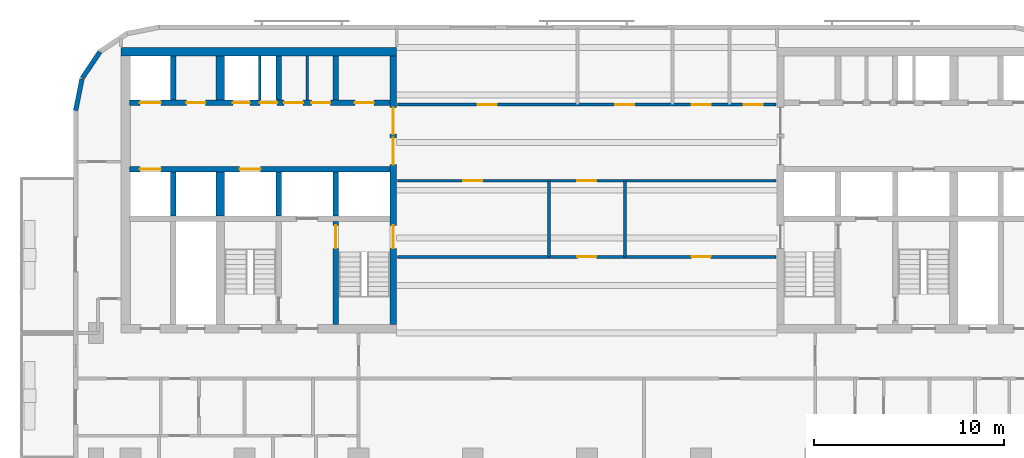
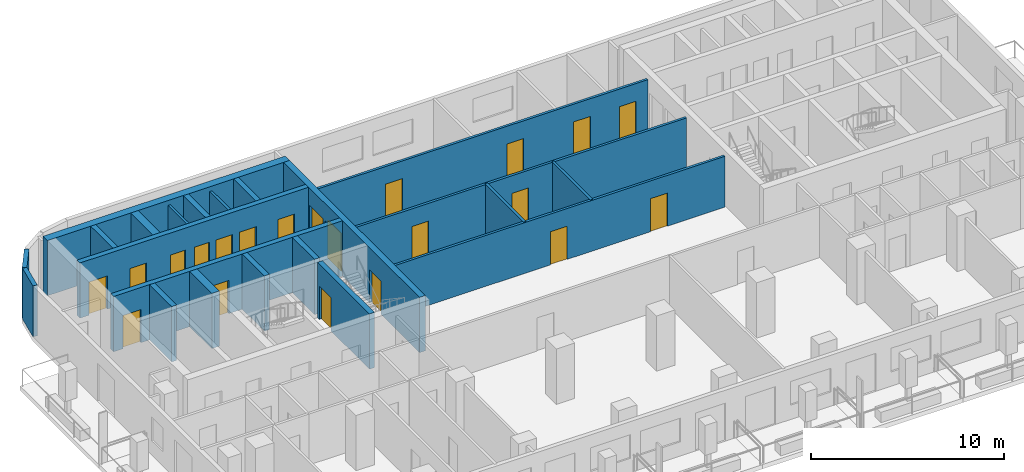
# One storey, part 4 of 11: 22 walls, 21 doors, 21 openings.
"""IFC4 building model written with IfcOpenShell, lengths in metres."""

import ifcopenshell
import ifcopenshell.guid

model = None  # the IFC model being written
_history = None  # IfcOwnerHistory: only IFC2X3 demands one
_inside = {}  # id of a spatial element -> (the spatial element, [elements in it])
_under = {}  # id of a project, library or spatial element -> (it, [spatial elements below it])
_declared = {}  # id of a project -> (the project, [libraries it declares])
_typed = {}  # id of a type object -> (the type object, [elements of that type])
_made_of = {}  # id of a material, layer set ... -> (it, [elements and type objects made of it])


def new_model(schema):
    """Start an empty IFC model of exactly this schema.

    Asked for "IFC4X3", IfcOpenShell would pick the latest addendum, in which some entities
    have other attributes; the version numbers below select the first issue.
    IFC2X3 requires an IfcOwnerHistory on every rooted entity: one is made here for all.
    """
    global model, _history
    if schema == "IFC4X3":
        model = ifcopenshell.file(schema_version=(4, 3, 0, 0))
    else:
        model = ifcopenshell.file(schema=schema)
    _inside.clear()
    _under.clear()
    _declared.clear()
    _typed.clear()
    _made_of.clear()
    _history = None
    if model.schema == "IFC2X3":
        org = make("IfcOrganization", Name="unknown")
        user = make(
            "IfcPersonAndOrganization",
            ThePerson=make("IfcPerson", FamilyName="unknown"),
            TheOrganization=org,
        )
        app = make(
            "IfcApplication",
            ApplicationDeveloper=org,
            Version="unknown",
            ApplicationFullName="unknown",
            ApplicationIdentifier="unknown",
        )
        _history = make(
            "IfcOwnerHistory",
            OwningUser=user,
            OwningApplication=app,
            ChangeAction="ADDED",
            CreationDate=0,
        )
    return model


def make(cls, **values):
    """One entity of the class cls with the attributes given. An attribute that is None is left unset."""
    return model.create_entity(
        cls, **{name: value for name, value in values.items() if value is not None}
    )


def rooted(cls, **values):
    """An entity with a GlobalId (a new one), such as an element, a storey or a relation."""
    return make(cls, GlobalId=ifcopenshell.guid.new(), OwnerHistory=_history, **values)


def si_unit(unit_type, name, prefix=None):
    """IfcSIUnit, for example si_unit("LENGTHUNIT", "METRE", prefix="MILLI")."""
    return make("IfcSIUnit", UnitType=unit_type, Prefix=prefix, Name=name)


def assignment(units):
    """IfcUnitAssignment: the units of a project."""
    return None if units is None else make("IfcUnitAssignment", Units=units)


def point(xyz):
    """IfcCartesianPoint."""
    return None if xyz is None else make("IfcCartesianPoint", Coordinates=xyz)


def direction(xyz):
    """IfcDirection."""
    return None if xyz is None else make("IfcDirection", DirectionRatios=xyz)


def frame(location, z_axis=None, x_axis=None):
    """IfcAxis2Placement3D, a coordinate frame: its origin and axes. An axis left out is left unset."""
    return make(
        "IfcAxis2Placement3D",
        Location=point(location),
        Axis=direction(z_axis),
        RefDirection=direction(x_axis),
    )


def frame_2d(location, x_axis=None):
    """IfcAxis2Placement2D, a coordinate frame in the plane: its origin and x axis."""
    return make(
        "IfcAxis2Placement2D", Location=point(location), RefDirection=direction(x_axis)
    )


def origin():
    """The frame at (0, 0, 0) with its axes left unset."""
    return frame((0.0, 0.0, 0.0))


def place(relative_to, where):
    """IfcLocalPlacement: puts the frame where relative to a parent placement (None: the world)."""
    return make(
        "IfcLocalPlacement", PlacementRelTo=relative_to, RelativePlacement=where
    )


def context(
    kind, dimensions, precision=None, world=None, true_north=None, identifier=None
):
    """IfcGeometricRepresentationContext, for example the 3D "Model" context."""
    return make(
        "IfcGeometricRepresentationContext",
        ContextIdentifier=identifier,
        ContextType=kind,
        CoordinateSpaceDimension=dimensions,
        Precision=precision,
        WorldCoordinateSystem=world,
        TrueNorth=true_north,
    )


def subcontext(parent, identifier, kind, view, scale=None):
    """IfcGeometricRepresentationSubContext, for example "Body" below "Model"."""
    return make(
        "IfcGeometricRepresentationSubContext",
        ContextIdentifier=identifier,
        ContextType=kind,
        ParentContext=parent,
        TargetScale=scale,
        TargetView=view,
    )


def project(units=None, contexts=None):
    """IfcProject with its units and contexts."""
    return rooted(
        "IfcProject",
        Name="project",
        RepresentationContexts=contexts,
        UnitsInContext=assignment(units),
    )


def spatial(cls, under=None, at=None, **own):
    """A site, building, storey or space (cls), placed at a placement, below another one or the project."""
    s = rooted(cls, ObjectPlacement=at, **own)
    if under is not None:
        _under.setdefault(under.id(), (under, []))[1].append(s)
    return s


def profile(cls, at=None, kind="AREA", **sizes):
    """A parametric profile (cls). Its sizes go by their IFC names, for example OverallWidth=200.0."""
    return make(cls, ProfileType=kind, Position=at, **sizes)


def rectangle(**sizes):
    """IfcRectangleProfileDef."""
    return profile("IfcRectangleProfileDef", **sizes)


def extrude(swept, where, along, depth):
    """IfcExtrudedAreaSolid: the profile swept, set in the frame where, extruded along a direction by depth."""
    return make(
        "IfcExtrudedAreaSolid",
        SweptArea=swept,
        Position=where,
        ExtrudedDirection=direction(along),
        Depth=depth,
    )


def shape(context_of_items, identifier, shape_type, items):
    """IfcShapeRepresentation: the items that make up one representation, for example the "Body"."""
    return make(
        "IfcShapeRepresentation",
        ContextOfItems=context_of_items,
        RepresentationIdentifier=identifier,
        RepresentationType=shape_type,
        Items=items,
    )


def material(Name=None, Category=None):
    """IfcMaterial."""
    return make("IfcMaterial", Name=Name, Category=Category)


def layer(
    of_material, thickness, ventilated=None, Name=None, Category=None, Priority=None
):
    """IfcMaterialLayer: one layer of a wall or slab, of a material (None: an air gap)."""
    return make(
        "IfcMaterialLayer",
        Material=of_material,
        LayerThickness=thickness,
        IsVentilated=ventilated,
        Name=Name,
        Category=Category,
        Priority=Priority,
    )


def layer_set(layers, Name=None):
    """IfcMaterialLayerSet."""
    return make("IfcMaterialLayerSet", MaterialLayers=layers, LayerSetName=Name)


def made_of(thing, what):
    """Note that an element or type object is made of a material, layer set ...; save() writes the relation."""
    if what is not None:
        _made_of.setdefault(what.id(), (what, []))[1].append(thing)
    return thing


def type_object(cls, material=None, **own):
    """A type object (cls), such as IfcWallType, which elements share."""
    return made_of(rooted(cls, **own), material)


def element(
    cls,
    number,
    at=None,
    inside=None,
    cuts=None,
    type_object=None,
    material=None,
    context=None,
    identifier="Body",
    shape_type=None,
    held_by="IfcProductDefinitionShape",
    body=None,
    shapes=None,
    **own,
):
    """One element of the class cls, such as IfcWall. Its Tag is "e" and its number.

    at: its placement. inside: the storey or other place that contains it. cuts: it is an
    opening in that element (IfcRelVoidsElement). A single representation is given by context,
    identifier, shape_type and body (its items); several are given by shapes. held_by: the class
    of the entity that holds the representations. save() writes the other relations.
    """
    e = rooted(cls, Tag="e%d" % number, ObjectPlacement=at, **own)
    if body is not None:
        shapes = [shape(context, identifier, shape_type, body)]
    if shapes is not None:
        e.Representation = make(held_by, Representations=shapes)
    if inside is not None:
        _inside.setdefault(inside.id(), (inside, []))[1].append(e)
    if cuts is not None:
        rooted(
            "IfcRelVoidsElement", RelatingBuildingElement=cuts, RelatedOpeningElement=e
        )
    if type_object is not None:
        _typed.setdefault(type_object.id(), (type_object, []))[1].append(e)
    return made_of(e, material)


def fill(opening, filler):
    """IfcRelFillsElement: the door or window that sits in an opening."""
    return rooted(
        "IfcRelFillsElement",
        RelatingOpeningElement=opening,
        RelatedBuildingElement=filler,
    )


def aggregate(whole, parts):
    """IfcRelAggregates: a whole, such as a stair, and the parts it consists of."""
    return rooted("IfcRelAggregates", RelatingObject=whole, RelatedObjects=parts)


def save(model, path):
    """Write the relations noted so far, then the file.

    IfcRelAggregates (storeys below a building ...), IfcRelContainedInSpatialStructure (elements
    in a storey), IfcRelDefinesByType, IfcRelAssociatesMaterial and IfcRelDeclares: one each for
    every whole, place, type object, material and project.
    """
    for whole, parts in _under.values():
        aggregate(whole, parts)
    for where, things in _inside.values():
        rooted(
            "IfcRelContainedInSpatialStructure",
            RelatedElements=things,
            RelatingStructure=where,
        )
    for kind, things in _typed.values():
        rooted("IfcRelDefinesByType", RelatedObjects=things, RelatingType=kind)
    for what, things in _made_of.values():
        rooted("IfcRelAssociatesMaterial", RelatedObjects=things, RelatingMaterial=what)
    for by, libraries in _declared.values():
        rooted("IfcRelDeclares", RelatingContext=by, RelatedDefinitions=libraries)
    model.write(path)


model = new_model("IFC4")

# Units and contexts
model_context = context("Model", 3, precision=1e-05, world=origin(), true_north=direction((0.0, 1.0)))
body_context = subcontext(model_context, "Body", "Model", "MODEL_VIEW")
ifc_project = project(units=[si_unit("LENGTHUNIT", "METRE"), si_unit("AREAUNIT", "SQUARE_METRE"), si_unit("VOLUMEUNIT", "CUBIC_METRE"), si_unit("PLANEANGLEUNIT", "RADIAN"), si_unit("MASSUNIT", "GRAM", prefix="KILO")], contexts=[model_context])

# Site, building, storey
site_placement = place(None, origin())
site = spatial("IfcSite", under=ifc_project, at=site_placement, CompositionType="ELEMENT")
building_placement = place(site_placement, origin())
building = spatial("IfcBuilding", under=site, at=building_placement, Name="Torana Hotel and Residences", CompositionType="ELEMENT")
storey_placement = place(building_placement, frame((0.0, 0.0, 211.60009765625)))
storey = spatial("IfcBuildingStorey", under=building, at=storey_placement, Name="L55", CompositionType="ELEMENT", Elevation=211.60009765625)

# Wall, openings, doors
ifc_material_1 = material(Name="Concrete C70/85", Category="concrete")
ifc_layer_1 = layer(ifc_material_1, 0.300048828125)
ifc_layer_set_1 = layer_set([ifc_layer_1], Name="CORE WALL 300 C70/85")
wall_type_1 = type_object("IfcWallType", Name="CORE WALL 300 C70/85", PredefinedType="SHEAR", material=ifc_layer_set_1)
wall_1_placement = place(storey_placement, frame((-24.050048828125, -2.89990234375, 0.0), z_axis=(0.0, 0.0, 1.0), x_axis=(1.0, 0.0, 0.0)))
wall_1 = element("IfcWall", 1, at=wall_1_placement, inside=storey, type_object=wall_type_1, Name="Core wall W row-N", PredefinedType="SHEAR", context=body_context, shape_type="SweptSolid", body=[
    extrude(rectangle(XDim=13.699951171875, YDim=0.300048828125, at=frame_2d((6.85009765625, 0.0))), origin(), (0.0, 0.0, 1.0), 3.5),
])
opening_1_placement = place(wall_1_placement, frame((0.550048828125, 0.0, 0.0)))
opening_1 = element("IfcOpeningElement", 2, at=opening_1_placement, cuts=wall_1, Name="Opening LD", PredefinedType="OPENING", context=body_context, shape_type="SweptSolid", body=[
    extrude(rectangle(XDim=1.10009765625, YDim=2.10009765625, at=frame_2d((0.550048828125, 1.050048828125))), frame((0.0, 0.159912109375, 0.0), z_axis=(0.0, -1.0, 0.0), x_axis=(1.0, 0.0, 0.0)), (0.0, 0.0, 1.0), 0.320068359375),
])
opening_2_placement = place(wall_1_placement, frame((6.862548828125, 0.0, 0.0)))
opening_2 = element("IfcOpeningElement", 3, at=opening_2_placement, cuts=wall_1, Name="Opening L55-08", PredefinedType="OPENING", context=body_context, shape_type="SweptSolid", body=[
    extrude(rectangle(XDim=0.89990234375, YDim=2.10009765625, at=frame_2d((0.449951171875, 1.050048828125))), frame((0.0, 0.159912109375, 0.0), z_axis=(0.0, -1.0, 0.0), x_axis=(1.0, 0.0, 0.0)), (0.0, 0.0, 1.0), 0.320068359375),
])
opening_3_placement = place(wall_1_placement, frame((5.4375, 0.0, 0.0)))
opening_3 = element("IfcOpeningElement", 4, at=opening_3_placement, cuts=wall_1, Name="Opening L55-09", PredefinedType="OPENING", context=body_context, shape_type="SweptSolid", body=[
    extrude(rectangle(XDim=0.89990234375, YDim=2.10009765625, at=frame_2d((0.449951171875, 1.050048828125))), frame((0.0, 0.159912109375, 0.0), z_axis=(0.0, -1.0, 0.0), x_axis=(1.0, 0.0, 0.0)), (0.0, 0.0, 1.0), 0.320068359375),
])
opening_4_placement = place(wall_1_placement, frame((11.85009765625, 0.0, 0.0)))
opening_4 = element("IfcOpeningElement", 5, at=opening_4_placement, cuts=wall_1, Name="Opening L55-10", PredefinedType="OPENING", context=body_context, shape_type="SweptSolid", body=[
    extrude(rectangle(XDim=1.0, YDim=2.10009765625, at=frame_2d((0.5, 1.050048828125))), frame((0.0, 0.159912109375, 0.0), z_axis=(0.0, -1.0, 0.0), x_axis=(1.0, 0.0, 0.0)), (0.0, 0.0, 1.0), 0.320068359375),
])
opening_5_placement = place(wall_1_placement, frame((9.5625, 0.0, 0.0)))
opening_5 = element("IfcOpeningElement", 6, at=opening_5_placement, cuts=wall_1, Name="Opening L55-11", PredefinedType="OPENING", context=body_context, shape_type="SweptSolid", body=[
    extrude(rectangle(XDim=1.0, YDim=2.10009765625, at=frame_2d((0.5, 1.050048828125))), frame((0.0, 0.159912109375, 0.0), z_axis=(0.0, -1.0, 0.0), x_axis=(1.0, 0.0, 0.0)), (0.0, 0.0, 1.0), 0.320068359375),
])
opening_6_placement = place(wall_1_placement, frame((8.137451171875, 0.0, 0.0)))
opening_6 = element("IfcOpeningElement", 7, at=opening_6_placement, cuts=wall_1, Name="Opening L55-12", PredefinedType="OPENING", context=body_context, shape_type="SweptSolid", body=[
    extrude(rectangle(XDim=1.0, YDim=2.10009765625, at=frame_2d((0.5, 1.050048828125))), frame((0.0, 0.159912109375, 0.0), z_axis=(0.0, -1.0, 0.0), x_axis=(1.0, 0.0, 0.0)), (0.0, 0.0, 1.0), 0.320068359375),
])
opening_7_placement = place(wall_1_placement, frame((3.0, 0.0, 0.0)))
opening_7 = element("IfcOpeningElement", 8, at=opening_7_placement, cuts=wall_1, Name="Opening L55-13", PredefinedType="OPENING", context=body_context, shape_type="SweptSolid", body=[
    extrude(rectangle(XDim=1.0, YDim=2.10009765625, at=frame_2d((0.5, 1.050048828125))), frame((0.0, 0.159912109375, 0.0), z_axis=(0.0, -1.0, 0.0), x_axis=(1.0, 0.0, 0.0)), (0.0, 0.0, 1.0), 0.320068359375),
])
ifc_material_2 = material(Name="Steel S235", Category="steel")
door_type_1 = type_object("IfcDoorType", Name="CORE ROOM FIRE DOOR D14 1000x2100", OperationType="SINGLE_SWING_LEFT", PredefinedType="DOOR", material=ifc_material_2)
door_1_placement = place(opening_4_placement, origin())
door_1 = element("IfcDoor", 9, at=door_1_placement, inside=storey, type_object=door_type_1, Name="N0 door L55", OperationType="SINGLE_SWING_RIGHT", OverallHeight=2.10009765625, OverallWidth=1.0, PredefinedType="DOOR", context=body_context, shape_type="SweptSolid", body=[
    extrude(rectangle(XDim=1.0, YDim=2.10009765625, at=frame_2d((0.5, 1.050048828125))), frame((0.0, 0.02490234375, 0.0), z_axis=(0.0, -1.0, 0.0), x_axis=(1.0, 0.0, 0.0)), (0.0, 0.0, 1.0), 0.050048828125),
])
fill(opening_4, door_1)
door_2_placement = place(opening_5_placement, origin())
door_2 = element("IfcDoor", 10, at=door_2_placement, inside=storey, type_object=door_type_1, Name="N1A door L55", OperationType="SINGLE_SWING_RIGHT", OverallHeight=2.10009765625, OverallWidth=1.0, PredefinedType="DOOR", context=body_context, shape_type="SweptSolid", body=[
    extrude(rectangle(XDim=1.0, YDim=2.10009765625, at=frame_2d((0.5, 1.050048828125))), frame((0.0, 0.02490234375, 0.0), z_axis=(0.0, -1.0, 0.0), x_axis=(1.0, 0.0, 0.0)), (0.0, 0.0, 1.0), 0.050048828125),
])
fill(opening_5, door_2)
door_3_placement = place(opening_6_placement, origin())
door_3 = element("IfcDoor", 11, at=door_3_placement, inside=storey, type_object=door_type_1, Name="N1B door L55", OperationType="SINGLE_SWING_RIGHT", OverallHeight=2.10009765625, OverallWidth=1.0, PredefinedType="DOOR", context=body_context, shape_type="SweptSolid", body=[
    extrude(rectangle(XDim=1.0, YDim=2.10009765625, at=frame_2d((0.5, 1.050048828125))), frame((0.0, 0.02490234375, 0.0), z_axis=(0.0, -1.0, 0.0), x_axis=(1.0, 0.0, 0.0)), (0.0, 0.0, 1.0), 0.050048828125),
])
fill(opening_6, door_3)
door_4_placement = place(opening_7_placement, origin())
door_4 = element("IfcDoor", 12, at=door_4_placement, inside=storey, type_object=door_type_1, Name="Freed-S1 door L55", OperationType="SINGLE_SWING_RIGHT", OverallHeight=2.10009765625, OverallWidth=1.0, PredefinedType="DOOR", context=body_context, shape_type="SweptSolid", body=[
    extrude(rectangle(XDim=1.0, YDim=2.10009765625, at=frame_2d((0.5, 1.050048828125))), frame((0.0, 0.02490234375, 0.0), z_axis=(0.0, -1.0, 0.0), x_axis=(1.0, 0.0, 0.0)), (0.0, 0.0, 1.0), 0.050048828125),
])
fill(opening_7, door_4)
ifc_material_3 = material(Name="Stainless steel 316", Category="steel")
door_type_2 = type_object("IfcDoorType", Name="LIFT LANDING DOOR LD 1100x2100", OperationType="DOUBLE_DOOR_SLIDING", PredefinedType="USERDEFINED", material=ifc_material_3)
door_5_placement = place(opening_1_placement, origin())
door_5 = element("IfcDoor", 13, at=door_5_placement, inside=storey, type_object=door_type_2, Name="Lift landing door M1 L55", ObjectType="LIFT LANDING DOOR", OperationType="DOUBLE_DOOR_SLIDING", OverallHeight=2.10009765625, OverallWidth=1.10009765625, PredefinedType="USERDEFINED", context=body_context, shape_type="SweptSolid", body=[
    extrude(rectangle(XDim=1.10009765625, YDim=2.10009765625, at=frame_2d((0.550048828125, 1.050048828125))), frame((0.0, 0.02490234375, 0.0), z_axis=(0.0, -1.0, 0.0), x_axis=(1.0, 0.0, 0.0)), (0.0, 0.0, 1.0), 0.050048828125),
])
fill(opening_1, door_5)
ifc_material_4 = material(Name="Steel S235", Category="steel")
door_type_3 = type_object("IfcDoorType", Name="RISER ACCESS DOOR D5 900x2100", OperationType="SINGLE_SWING_LEFT", PredefinedType="DOOR", material=ifc_material_4)
door_6_placement = place(opening_2_placement, origin())
door_6 = element("IfcDoor", 14, at=door_6_placement, inside=storey, type_object=door_type_3, Name="N2A door L55", OperationType="SINGLE_SWING_LEFT", OverallHeight=2.10009765625, OverallWidth=0.89990234375, PredefinedType="DOOR", context=body_context, shape_type="SweptSolid", body=[
    extrude(rectangle(XDim=0.89990234375, YDim=2.10009765625, at=frame_2d((0.449951171875, 1.050048828125))), frame((0.0, 0.02490234375, 0.0), z_axis=(0.0, -1.0, 0.0), x_axis=(1.0, 0.0, 0.0)), (0.0, 0.0, 1.0), 0.050048828125),
])
fill(opening_2, door_6)
door_7_placement = place(opening_3_placement, origin())
door_7 = element("IfcDoor", 15, at=door_7_placement, inside=storey, type_object=door_type_3, Name="N2B door L55", OperationType="SINGLE_SWING_RIGHT", OverallHeight=2.10009765625, OverallWidth=0.89990234375, PredefinedType="DOOR", context=body_context, shape_type="SweptSolid", body=[
    extrude(rectangle(XDim=0.89990234375, YDim=2.10009765625, at=frame_2d((0.449951171875, 1.050048828125))), frame((0.0, 0.02490234375, 0.0), z_axis=(0.0, -1.0, 0.0), x_axis=(1.0, 0.0, 0.0)), (0.0, 0.0, 1.0), 0.050048828125),
])
fill(opening_3, door_7)

wall_2_placement = place(storey_placement, frame((-24.050048828125, -6.39990234375, 0.0), z_axis=(0.0, 0.0, 1.0), x_axis=(1.0, 0.0, 0.0)))
wall_2 = element("IfcWall", 16, at=wall_2_placement, inside=storey, type_object=wall_type_1, Name="Core wall W row-S", PredefinedType="SHEAR", context=body_context, shape_type="SweptSolid", body=[
    extrude(rectangle(XDim=13.699951171875, YDim=0.300048828125, at=frame_2d((6.85009765625, 0.0))), origin(), (0.0, 0.0, 1.0), 3.5),
])
opening_8_placement = place(wall_2_placement, frame((0.550048828125, 0.0, 0.0)))
opening_8 = element("IfcOpeningElement", 17, at=opening_8_placement, cuts=wall_2, Name="Opening LD", PredefinedType="OPENING", context=body_context, shape_type="SweptSolid", body=[
    extrude(rectangle(XDim=1.10009765625, YDim=2.10009765625, at=frame_2d((0.550048828125, 1.050048828125))), frame((0.0, 0.159912109375, 0.0), z_axis=(0.0, -1.0, 0.0), x_axis=(1.0, 0.0, 0.0)), (0.0, 0.0, 1.0), 0.320068359375),
])
opening_9_placement = place(wall_2_placement, frame((5.800048828125, 0.0, 0.0)))
opening_9 = element("IfcOpeningElement", 18, at=opening_9_placement, cuts=wall_2, Name="Opening LD", PredefinedType="OPENING", context=body_context, shape_type="SweptSolid", body=[
    extrude(rectangle(XDim=1.10009765625, YDim=2.10009765625, at=frame_2d((0.550048828125, 1.050048828125))), frame((0.0, 0.159912109375, 0.0), z_axis=(0.0, -1.0, 0.0), x_axis=(1.0, 0.0, 0.0)), (0.0, 0.0, 1.0), 0.320068359375),
])
door_8_placement = place(opening_8_placement, origin())
door_8 = element("IfcDoor", 19, at=door_8_placement, inside=storey, type_object=door_type_2, Name="Lift landing door M2 L55", ObjectType="LIFT LANDING DOOR", OperationType="DOUBLE_DOOR_SLIDING", OverallHeight=2.10009765625, OverallWidth=1.10009765625, PredefinedType="USERDEFINED", context=body_context, shape_type="SweptSolid", body=[
    extrude(rectangle(XDim=1.10009765625, YDim=2.10009765625, at=frame_2d((0.550048828125, 1.050048828125))), frame((0.0, 0.02490234375, 0.0), z_axis=(0.0, -1.0, 0.0), x_axis=(1.0, 0.0, 0.0)), (0.0, 0.0, 1.0), 0.050048828125),
])
fill(opening_8, door_8)
door_9_placement = place(opening_9_placement, origin())
door_9 = element("IfcDoor", 20, at=door_9_placement, inside=storey, type_object=door_type_2, Name="Lift landing door SV1 L55", ObjectType="LIFT LANDING DOOR", OperationType="DOUBLE_DOOR_SLIDING", OverallHeight=2.10009765625, OverallWidth=1.10009765625, PredefinedType="USERDEFINED", context=body_context, shape_type="SweptSolid", body=[
    extrude(rectangle(XDim=1.10009765625, YDim=2.10009765625, at=frame_2d((0.550048828125, 1.050048828125))), frame((0.0, 0.02490234375, 0.0), z_axis=(0.0, -1.0, 0.0), x_axis=(1.0, 0.0, 0.0)), (0.0, 0.0, 1.0), 0.050048828125),
])
fill(opening_9, door_9)

# Walls
for number, where, z_axis, x_axis, name in (
    (21, (-13.199951171875, -2.75, 0.0), (0.0, 0.0, 1.0), (0.0, 1.0, 0.0), "Core wall W x3.05-N"),
    (22, (-13.199951171875, -8.85009765625, 0.0), (0.0, 0.0, 1.0), (0.0, 1.0, 0.0), "Core wall W x3.05-S"),
):
    element("IfcWall", number, at=place(storey_placement, frame(where, z_axis=z_axis, x_axis=x_axis)), inside=storey, type_object=wall_type_1, Name=name, PredefinedType="SHEAR", context=body_context, shape_type="SweptSolid", body=[
        extrude(rectangle(XDim=2.300048828125, YDim=0.300048828125, at=frame_2d((1.14990234375, 0.0))), origin(), (0.0, 0.0, 1.0), 3.5),
    ])

# Wall, opening, door
wall_3_placement = place(storey_placement, frame((-13.199951171875, -14.550048828125, 0.0), z_axis=(0.0, 0.0, 1.0), x_axis=(0.0, 1.0, 0.0)))
wall_3 = element("IfcWall", 23, at=wall_3_placement, inside=storey, type_object=wall_type_1, Name="Core wall W x3.05-band", PredefinedType="SHEAR", context=body_context, shape_type="SweptSolid", body=[
    extrude(rectangle(XDim=5.400146484375, YDim=0.300048828125, at=frame_2d((2.7001953125, 0.0))), origin(), (0.0, 0.0, 1.0), 3.5),
])
opening_10_placement = place(wall_3_placement, frame((4.0, 0.0, 0.0)))
opening_10 = element("IfcOpeningElement", 24, at=opening_10_placement, cuts=wall_3, Name="Opening L55-14", PredefinedType="OPENING", context=body_context, shape_type="SweptSolid", body=[
    extrude(rectangle(XDim=1.199951171875, YDim=2.10009765625, at=frame_2d((0.60009765625, 1.050048828125))), frame((0.0, 0.159912109375, 0.0), z_axis=(0.0, -1.0, 0.0), x_axis=(1.0, 0.0, 0.0)), (0.0, 0.0, 1.0), 0.320068359375),
])
ifc_material_5 = material(Name="Steel S235", Category="steel")
door_type_4 = type_object("IfcDoorType", Name="STAIR FIRE DOOR D3 1200x2100", OperationType="SINGLE_SWING_LEFT", PredefinedType="DOOR", material=ifc_material_5)
door_10_placement = place(opening_10_placement, frame((0.60009765625, 0.0, 0.0), z_axis=(0.0, 0.0, 1.0), x_axis=(-1.0, 0.0, 0.0)))
door_10 = element("IfcDoor", 25, at=door_10_placement, inside=storey, type_object=door_type_4, Name="Stair-A-lobby door L55", OperationType="SINGLE_SWING_RIGHT", OverallHeight=2.10009765625, OverallWidth=1.199951171875, PredefinedType="DOOR", context=body_context, shape_type="SweptSolid", body=[
    extrude(rectangle(XDim=1.199951171875, YDim=2.10009765625, at=frame_2d((0.0, 1.050048828125))), frame((0.0, -0.02490234375, 0.0), z_axis=(0.0, 1.0, 0.0), x_axis=(-1.0, 0.0, 0.0)), (0.0, 0.0, 1.0), 0.050048828125),
])
fill(opening_10, door_10)

# Walls
for number, where, z_axis, x_axis, name in (
    (26, (-16.199951171875, -2.75, 0.0), (0.0, 0.0, 1.0), (0.0, 1.0, 0.0), "Core wall W x6.05-N"),
    (27, (-16.199951171875, -8.85009765625, 0.0), (0.0, 0.0, 1.0), (0.0, 1.0, 0.0), "Core wall W x6.05-S"),
    (28, (-21.75, -2.75, 0.0), (0.0, 0.0, 1.0), (0.0, 1.0, 0.0), "Core wall W mm-N"),
    (29, (-21.75, -8.85009765625, 0.0), (0.0, 0.0, 1.0), (0.0, 1.0, 0.0), "Core wall W mm-S"),
):
    element("IfcWall", number, at=place(storey_placement, frame(where, z_axis=z_axis, x_axis=x_axis)), inside=storey, type_object=wall_type_1, Name=name, PredefinedType="SHEAR", context=body_context, shape_type="SweptSolid", body=[
        extrude(rectangle(XDim=2.300048828125, YDim=0.300048828125, at=frame_2d((1.14990234375, 0.0))), origin(), (0.0, 0.0, 1.0), 3.5),
    ])

# Wall, openings, doors
ifc_material_6 = material(Name="Concrete C70/85", Category="concrete")
ifc_layer_2 = layer(ifc_material_6, 0.35009765625)
ifc_layer_set_2 = layer_set([ifc_layer_2], Name="CORE WALL 350 C70/85")
wall_type_2 = type_object("IfcWallType", Name="CORE WALL 350 C70/85", PredefinedType="SHEAR", material=ifc_layer_set_2)
wall_4_placement = place(storey_placement, frame((-10.175048828125, -14.550048828125, 0.0), z_axis=(0.0, 0.0, 1.0), x_axis=(0.0, 1.0, 0.0)))
wall_4 = element("IfcWall", 30, at=wall_4_placement, inside=storey, type_object=wall_type_2, Name="Core wall W arch", PredefinedType="SHEAR", context=body_context, shape_type="SweptSolid", body=[
    extrude(rectangle(XDim=14.10009765625, YDim=0.35009765625, at=frame_2d((7.050048828125, 0.0))), origin(), (0.0, 0.0, 1.0), 3.5),
])
opening_11_placement = place(wall_4_placement, frame((8.39990234375, 0.0, 0.0)))
opening_11 = element("IfcOpeningElement", 31, at=opening_11_placement, cuts=wall_4, Name="Opening L55-01", PredefinedType="OPENING", context=body_context, shape_type="SweptSolid", body=[
    extrude(rectangle(XDim=1.39990234375, YDim=2.39990234375, at=frame_2d((0.699951171875, 1.199951171875))), frame((0.0, 0.18505859375, 0.0), z_axis=(0.0, -1.0, 0.0), x_axis=(1.0, 0.0, 0.0)), (0.0, 0.0, 1.0), 0.3701171875),
])
opening_12_placement = place(wall_4_placement, frame((10.0, 0.0, 0.0)))
opening_12 = element("IfcOpeningElement", 32, at=opening_12_placement, cuts=wall_4, Name="Opening L55-02", PredefinedType="OPENING", context=body_context, shape_type="SweptSolid", body=[
    extrude(rectangle(XDim=1.39990234375, YDim=2.39990234375, at=frame_2d((0.699951171875, 1.199951171875))), frame((0.0, 0.18505859375, 0.0), z_axis=(0.0, -1.0, 0.0), x_axis=(1.0, 0.0, 0.0)), (0.0, 0.0, 1.0), 0.3701171875),
])
opening_13_placement = place(wall_4_placement, frame((4.0, 0.0, 0.0)))
opening_13 = element("IfcOpeningElement", 33, at=opening_13_placement, cuts=wall_4, Name="Opening L55-03", PredefinedType="OPENING", context=body_context, shape_type="SweptSolid", body=[
    extrude(rectangle(XDim=1.199951171875, YDim=2.10009765625, at=frame_2d((0.60009765625, 1.050048828125))), frame((0.0, 0.18505859375, 0.0), z_axis=(0.0, -1.0, 0.0), x_axis=(1.0, 0.0, 0.0)), (0.0, 0.0, 1.0), 0.3701171875),
])
ifc_material_7 = material(Name="Steel S235", Category="steel")
door_type_5 = type_object("IfcDoorType", Name="LOBBY FIRE DOOR D4 1400x2400", OperationType="DOUBLE_DOOR_SINGLE_SWING", PredefinedType="DOOR", material=ifc_material_7)
door_11_placement = place(opening_11_placement, origin())
door_11 = element("IfcDoor", 34, at=door_11_placement, inside=storey, type_object=door_type_5, Name="Lobby-1 door L55", OperationType="DOUBLE_DOOR_SINGLE_SWING", OverallHeight=2.39990234375, OverallWidth=1.39990234375, PredefinedType="DOOR", context=body_context, shape_type="SweptSolid", body=[
    extrude(rectangle(XDim=1.39990234375, YDim=2.39990234375, at=frame_2d((0.699951171875, 1.199951171875))), frame((0.0, 0.02490234375, 0.0), z_axis=(0.0, -1.0, 0.0), x_axis=(1.0, 0.0, 0.0)), (0.0, 0.0, 1.0), 0.050048828125),
])
fill(opening_11, door_11)
door_12_placement = place(opening_12_placement, origin())
door_12 = element("IfcDoor", 35, at=door_12_placement, inside=storey, type_object=door_type_5, Name="Lobby-2 door L55", OperationType="DOUBLE_DOOR_SINGLE_SWING", OverallHeight=2.39990234375, OverallWidth=1.39990234375, PredefinedType="DOOR", context=body_context, shape_type="SweptSolid", body=[
    extrude(rectangle(XDim=1.39990234375, YDim=2.39990234375, at=frame_2d((0.699951171875, 1.199951171875))), frame((0.0, 0.02490234375, 0.0), z_axis=(0.0, -1.0, 0.0), x_axis=(1.0, 0.0, 0.0)), (0.0, 0.0, 1.0), 0.050048828125),
])
fill(opening_12, door_12)
door_13_placement = place(opening_13_placement, origin())
door_13 = element("IfcDoor", 36, at=door_13_placement, inside=storey, type_object=door_type_4, Name="Stair-A door L55", OperationType="SINGLE_SWING_LEFT", OverallHeight=2.10009765625, OverallWidth=1.199951171875, PredefinedType="DOOR", context=body_context, shape_type="SweptSolid", body=[
    extrude(rectangle(XDim=1.199951171875, YDim=2.10009765625, at=frame_2d((0.60009765625, 1.050048828125))), frame((0.0, 0.02490234375, 0.0), z_axis=(0.0, -1.0, 0.0), x_axis=(1.0, 0.0, 0.0)), (0.0, 0.0, 1.0), 0.050048828125),
])
fill(opening_13, door_13)

# Walls
ifc_material_8 = material(Name="Concrete C70/85", Category="concrete")
ifc_layer_3 = layer(ifc_material_8, 0.449951171875)
ifc_layer_set_3 = layer_set([ifc_layer_3], Name="CORE WALL 450 C70/85")
wall_type_3 = type_object("IfcWallType", Name="CORE WALL 450 C70/85", PredefinedType="SHEAR", material=ifc_layer_set_3)
wall_5_placement = place(storey_placement, frame((-24.5, -0.22509765625, 0.0), z_axis=(0.0, 0.0, 1.0), x_axis=(1.0, 0.0, 0.0)))
element("IfcWall", 37, at=wall_5_placement, inside=storey, type_object=wall_type_3, Name="Core wall W rear", PredefinedType="SHEAR", context=body_context, shape_type="SweptSolid", body=[
    extrude(rectangle(XDim=14.5, YDim=0.449951171875, at=frame_2d((7.25, 0.0))), origin(), (0.0, 0.0, 1.0), 3.5),
])
for number, where, z_axis, x_axis, name in (
    (38, (-19.27490234375, -2.75, 0.0), (0.0, 0.0, 1.0), (0.0, 1.0, 0.0), "Core wall W hm-N"),
    (39, (-19.27490234375, -8.85009765625, 0.0), (0.0, 0.0, 1.0), (0.0, 1.0, 0.0), "Core wall W hm-S"),
):
    element("IfcWall", number, at=place(storey_placement, frame(where, z_axis=z_axis, x_axis=x_axis)), inside=storey, type_object=wall_type_3, Name=name, PredefinedType="SHEAR", context=body_context, shape_type="SweptSolid", body=[
        extrude(rectangle(XDim=2.300048828125, YDim=0.449951171875, at=frame_2d((1.14990234375, 0.0))), origin(), (0.0, 0.0, 1.0), 3.5),
    ])
ifc_material_9 = material(Name="Black aluminium composite panel", Category="aluminium")
ifc_layer_4 = layer(ifc_material_9, 0.00390625, Name="Cladding", Category="cladding")
ifc_material_10 = material(Name="Ventilated air cavity")
ifc_layer_5 = layer(ifc_material_10, 0.0400390625, Name="Ventilated cavity", Category="cavity")
ifc_material_11 = material(Name="Mineral wool insulation")
ifc_layer_6 = layer(ifc_material_11, 0.090087890625, Name="Insulation", Category="insulation")
ifc_material_12 = material(Name="Steel S280GD", Category="steel")
ifc_layer_7 = layer(ifc_material_12, 0.092041015625, Name="Steel stud frame", Category="structure")
ifc_material_13 = material(Name="Fire rated plasterboard")
ifc_layer_8 = layer(ifc_material_13, 0.011962890625, Name="Inner board", Category="finish")
ifc_layer_9 = layer(ifc_material_13, 0.011962890625, Name="Second board", Category="finish")
ifc_layer_set_4 = layer_set([ifc_layer_4, ifc_layer_5, ifc_layer_6, ifc_layer_7, ifc_layer_8, ifc_layer_9], Name="EW1 EXTERNAL WALL BLACK METAL CLAD 250")
wall_type_4 = type_object("IfcWallType", Name="EW1 EXTERNAL WALL BLACK METAL CLAD 250", PredefinedType="SOLIDWALL", material=ifc_layer_set_4)
wall_6_placement = place(storey_placement, frame((-25.605712890625, -0.228759765625, 0.0), z_axis=(0.0, 0.0, 1.0), x_axis=(-0.55555029066, -0.831482937015, 0.0)))
element("IfcWall", 40, at=wall_6_placement, inside=storey, type_object=wall_type_4, Name="External wall L55 e0.7", PredefinedType="SOLIDWALL", context=body_context, shape_type="SweptSolid", body=[
    extrude(rectangle(XDim=1.65625, YDim=0.25, at=frame_2d((0.828125, 0.0))), origin(), (0.0, 0.0, 1.0), 3.219970703125),
])
wall_7_placement = place(storey_placement, frame((-26.544677734375, -1.651123046875, 0.0), z_axis=(0.0, 0.0, 1.0), x_axis=(-0.194999110559, -0.980803419081, 0.0)))
element("IfcWall", 41, at=wall_7_placement, inside=storey, type_object=wall_type_4, Name="External wall L55 e0.8", PredefinedType="SOLIDWALL", context=body_context, shape_type="SweptSolid", body=[
    extrude(rectangle(XDim=1.681396484375, YDim=0.25, at=frame_2d((0.8408203125, 0.0))), origin(), (0.0, 0.0, 1.0), 3.219970703125),
])
ifc_material_14 = material(Name="Gypsum plaster")
ifc_layer_10 = layer(ifc_material_14, 0.014892578125, Name="Plaster", Category="finish")
ifc_material_15 = material(Name="Concrete blockwork", Category="masonry")
ifc_layer_11 = layer(ifc_material_15, 0.1201171875, Name="Blockwork", Category="structure")
ifc_layer_12 = layer(ifc_material_14, 0.014892578125, Name="Plaster", Category="finish")
ifc_layer_set_5 = layer_set([ifc_layer_10, ifc_layer_11, ifc_layer_12], Name="FIRE PARTITION 150 BLOCKWORK")
wall_type_5 = type_object("IfcWallType", Name="FIRE PARTITION 150 BLOCKWORK", PredefinedType="PARTITIONING", material=ifc_layer_set_5)
for number, where, z_axis, x_axis, name in (
    (42, (-17.199951171875, -2.75, 0.0), (0.0, 0.0, 1.0), (0.0, 1.0, 0.0), "Core partition L55"),
    (43, (-14.699951171875, -2.75, 0.0), (0.0, 0.0, 1.0), (0.0, 1.0, 0.0), "Core partition L55"),
):
    element("IfcWall", number, at=place(storey_placement, frame(where, z_axis=z_axis, x_axis=x_axis)), inside=storey, type_object=wall_type_5, Name=name, PredefinedType="PARTITIONING", context=body_context, shape_type="SweptSolid", body=[
        extrude(rectangle(XDim=2.300048828125, YDim=0.14990234375, at=frame_2d((1.14990234375, 0.0))), origin(), (0.0, 0.0, 1.0), 3.199951171875),
    ])
for number, where, z_axis, x_axis, name in (
    (44, (2.0, -11.0, 0.0), (0.0, 0.0, 1.0), (0.0, 1.0, 0.0), "Partition L55"),
    (45, (-2.0, -11.0, 0.0), (0.0, 0.0, 1.0), (0.0, 1.0, 0.0), "Partition L55"),
):
    element("IfcWall", number, at=place(storey_placement, frame(where, z_axis=z_axis, x_axis=x_axis)), inside=storey, type_object=wall_type_5, Name=name, PredefinedType="PARTITIONING", context=body_context, shape_type="SweptSolid", body=[
        extrude(rectangle(XDim=4.0, YDim=0.14990234375, at=frame_2d((2.0, 0.0))), origin(), (0.0, 0.0, 1.0), 3.219970703125),
    ])

# Wall, openings, doors
wall_8_placement = place(storey_placement, frame((-9.949951171875, -11.0, 0.0), z_axis=(0.0, 0.0, 1.0), x_axis=(1.0, 0.0, 0.0)))
wall_8 = element("IfcWall", 46, at=wall_8_placement, inside=storey, type_object=wall_type_5, Name="Partition L55", PredefinedType="PARTITIONING", context=body_context, shape_type="SweptSolid", body=[
    extrude(rectangle(XDim=19.89990234375, YDim=0.14990234375, at=frame_2d((9.949951171875, 0.0))), origin(), (0.0, 0.0, 1.0), 3.219970703125),
])
opening_14_placement = place(wall_8_placement, frame((9.449951171875, 0.0, 0.0)))
opening_14 = element("IfcOpeningElement", 47, at=opening_14_placement, cuts=wall_8, Name="Opening L55-40", PredefinedType="OPENING", context=body_context, shape_type="SweptSolid", body=[
    extrude(rectangle(XDim=1.0, YDim=2.10009765625, at=frame_2d((0.5, 1.050048828125))), frame((0.0, 0.0849609375, 0.0), z_axis=(0.0, -1.0, 0.0), x_axis=(1.0, 0.0, 0.0)), (0.0, 0.0, 1.0), 0.169921875),
])
opening_15_placement = place(wall_8_placement, frame((15.449951171875, 0.0, 0.0)))
opening_15 = element("IfcOpeningElement", 48, at=opening_15_placement, cuts=wall_8, Name="Opening L55-43", PredefinedType="OPENING", context=body_context, shape_type="SweptSolid", body=[
    extrude(rectangle(XDim=1.0, YDim=2.10009765625, at=frame_2d((0.5, 1.050048828125))), frame((0.0, 0.0849609375, 0.0), z_axis=(0.0, -1.0, 0.0), x_axis=(1.0, 0.0, 0.0)), (0.0, 0.0, 1.0), 0.169921875),
])
ifc_material_16 = material(Name="Steel S235", Category="steel")
door_type_6 = type_object("IfcDoorType", Name="ENTRY FIRE DOOR D6 1000x2100", OperationType="SINGLE_SWING_LEFT", PredefinedType="DOOR", material=ifc_material_16)
door_14_placement = place(opening_14_placement, origin())
door_14 = element("IfcDoor", 49, at=door_14_placement, inside=storey, type_object=door_type_6, Name="Door L55", OperationType="SINGLE_SWING_RIGHT", OverallHeight=2.10009765625, OverallWidth=1.0, PredefinedType="DOOR", context=body_context, shape_type="SweptSolid", body=[
    extrude(rectangle(XDim=1.0, YDim=2.10009765625, at=frame_2d((0.5, 1.050048828125))), frame((0.0, 0.02490234375, 0.0), z_axis=(0.0, -1.0, 0.0), x_axis=(1.0, 0.0, 0.0)), (0.0, 0.0, 1.0), 0.050048828125),
])
fill(opening_14, door_14)
door_15_placement = place(opening_15_placement, origin())
door_15 = element("IfcDoor", 50, at=door_15_placement, inside=storey, type_object=door_type_6, Name="Door L55", OperationType="SINGLE_SWING_RIGHT", OverallHeight=2.10009765625, OverallWidth=1.0, PredefinedType="DOOR", context=body_context, shape_type="SweptSolid", body=[
    extrude(rectangle(XDim=1.0, YDim=2.10009765625, at=frame_2d((0.5, 1.050048828125))), frame((0.0, 0.02490234375, 0.0), z_axis=(0.0, -1.0, 0.0), x_axis=(1.0, 0.0, 0.0)), (0.0, 0.0, 1.0), 0.050048828125),
])
fill(opening_15, door_15)

wall_9_placement = place(storey_placement, frame((-9.949951171875, -7.0, 0.0), z_axis=(0.0, 0.0, 1.0), x_axis=(1.0, 0.0, 0.0)))
wall_9 = element("IfcWall", 51, at=wall_9_placement, inside=storey, type_object=wall_type_5, Name="Partition L55", PredefinedType="PARTITIONING", context=body_context, shape_type="SweptSolid", body=[
    extrude(rectangle(XDim=19.89990234375, YDim=0.14990234375, at=frame_2d((9.949951171875, 0.0))), origin(), (0.0, 0.0, 1.0), 3.219970703125),
])
opening_16_placement = place(wall_9_placement, frame((9.449951171875, 0.0, 0.0)))
opening_16 = element("IfcOpeningElement", 52, at=opening_16_placement, cuts=wall_9, Name="Opening L55-44", PredefinedType="OPENING", context=body_context, shape_type="SweptSolid", body=[
    extrude(rectangle(XDim=1.0, YDim=2.10009765625, at=frame_2d((0.5, 1.050048828125))), frame((0.0, 0.0849609375, 0.0), z_axis=(0.0, -1.0, 0.0), x_axis=(1.0, 0.0, 0.0)), (0.0, 0.0, 1.0), 0.169921875),
])
opening_17_placement = place(wall_9_placement, frame((3.449951171875, 0.0, 0.0)))
opening_17 = element("IfcOpeningElement", 53, at=opening_17_placement, cuts=wall_9, Name="Opening L55-45", PredefinedType="OPENING", context=body_context, shape_type="SweptSolid", body=[
    extrude(rectangle(XDim=1.0, YDim=2.10009765625, at=frame_2d((0.5, 1.050048828125))), frame((0.0, 0.0849609375, 0.0), z_axis=(0.0, -1.0, 0.0), x_axis=(1.0, 0.0, 0.0)), (0.0, 0.0, 1.0), 0.169921875),
])
door_16_placement = place(opening_16_placement, origin())
door_16 = element("IfcDoor", 54, at=door_16_placement, inside=storey, type_object=door_type_6, Name="Door L55", OperationType="SINGLE_SWING_RIGHT", OverallHeight=2.10009765625, OverallWidth=1.0, PredefinedType="DOOR", context=body_context, shape_type="SweptSolid", body=[
    extrude(rectangle(XDim=1.0, YDim=2.10009765625, at=frame_2d((0.5, 1.050048828125))), frame((0.0, 0.02490234375, 0.0), z_axis=(0.0, -1.0, 0.0), x_axis=(1.0, 0.0, 0.0)), (0.0, 0.0, 1.0), 0.050048828125),
])
fill(opening_16, door_16)
door_17_placement = place(opening_17_placement, frame((0.5, 0.0, 0.0), z_axis=(0.0, 0.0, 1.0), x_axis=(-1.0, 0.0, 0.0)))
door_17 = element("IfcDoor", 55, at=door_17_placement, inside=storey, type_object=door_type_6, Name="Door L55", OperationType="SINGLE_SWING_LEFT", OverallHeight=2.10009765625, OverallWidth=1.0, PredefinedType="DOOR", context=body_context, shape_type="SweptSolid", body=[
    extrude(rectangle(XDim=1.0, YDim=2.10009765625, at=frame_2d((0.0, 1.050048828125))), frame((0.0, -0.02490234375, 0.0), z_axis=(0.0, 1.0, 0.0), x_axis=(-1.0, 0.0, 0.0)), (0.0, 0.0, 1.0), 0.050048828125),
])
fill(opening_17, door_17)

wall_10_placement = place(storey_placement, frame((-9.949951171875, -3.0, 0.0), z_axis=(0.0, 0.0, 1.0), x_axis=(1.0, 0.0, 0.0)))
wall_10 = element("IfcWall", 56, at=wall_10_placement, inside=storey, type_object=wall_type_5, Name="Partition L55", PredefinedType="PARTITIONING", context=body_context, shape_type="SweptSolid", body=[
    extrude(rectangle(XDim=19.89990234375, YDim=0.14990234375, at=frame_2d((9.949951171875, 0.0))), origin(), (0.0, 0.0, 1.0), 3.219970703125),
])
opening_18_placement = place(wall_10_placement, frame((4.199951171875, 0.0, 0.0)))
opening_18 = element("IfcOpeningElement", 57, at=opening_18_placement, cuts=wall_10, Name="Opening L55-46", PredefinedType="OPENING", context=body_context, shape_type="SweptSolid", body=[
    extrude(rectangle(XDim=1.0, YDim=2.10009765625, at=frame_2d((0.5, 1.050048828125))), frame((0.0, 0.0849609375, 0.0), z_axis=(0.0, -1.0, 0.0), x_axis=(1.0, 0.0, 0.0)), (0.0, 0.0, 1.0), 0.169921875),
])
opening_19_placement = place(wall_10_placement, frame((11.449951171875, 0.0, 0.0)))
opening_19 = element("IfcOpeningElement", 58, at=opening_19_placement, cuts=wall_10, Name="Opening L55-47", PredefinedType="OPENING", context=body_context, shape_type="SweptSolid", body=[
    extrude(rectangle(XDim=1.0, YDim=2.10009765625, at=frame_2d((0.5, 1.050048828125))), frame((0.0, 0.0849609375, 0.0), z_axis=(0.0, -1.0, 0.0), x_axis=(1.0, 0.0, 0.0)), (0.0, 0.0, 1.0), 0.169921875),
])
opening_20_placement = place(wall_10_placement, frame((15.449951171875, 0.0, 0.0)))
opening_20 = element("IfcOpeningElement", 59, at=opening_20_placement, cuts=wall_10, Name="Opening L55-48", PredefinedType="OPENING", context=body_context, shape_type="SweptSolid", body=[
    extrude(rectangle(XDim=1.0, YDim=2.10009765625, at=frame_2d((0.5, 1.050048828125))), frame((0.0, 0.0849609375, 0.0), z_axis=(0.0, -1.0, 0.0), x_axis=(1.0, 0.0, 0.0)), (0.0, 0.0, 1.0), 0.169921875),
])
opening_21_placement = place(wall_10_placement, frame((18.199951171875, 0.0, 0.0)))
opening_21 = element("IfcOpeningElement", 60, at=opening_21_placement, cuts=wall_10, Name="Opening L55-49", PredefinedType="OPENING", context=body_context, shape_type="SweptSolid", body=[
    extrude(rectangle(XDim=1.0, YDim=2.10009765625, at=frame_2d((0.5, 1.050048828125))), frame((0.0, 0.0849609375, 0.0), z_axis=(0.0, -1.0, 0.0), x_axis=(1.0, 0.0, 0.0)), (0.0, 0.0, 1.0), 0.169921875),
])
door_18_placement = place(opening_18_placement, origin())
door_18 = element("IfcDoor", 61, at=door_18_placement, inside=storey, type_object=door_type_6, Name="Door L55", OperationType="SINGLE_SWING_RIGHT", OverallHeight=2.10009765625, OverallWidth=1.0, PredefinedType="DOOR", context=body_context, shape_type="SweptSolid", body=[
    extrude(rectangle(XDim=1.0, YDim=2.10009765625, at=frame_2d((0.5, 1.050048828125))), frame((0.0, 0.02490234375, 0.0), z_axis=(0.0, -1.0, 0.0), x_axis=(1.0, 0.0, 0.0)), (0.0, 0.0, 1.0), 0.050048828125),
])
fill(opening_18, door_18)
door_19_placement = place(opening_19_placement, origin())
door_19 = element("IfcDoor", 62, at=door_19_placement, inside=storey, type_object=door_type_6, Name="Door L55", OperationType="SINGLE_SWING_RIGHT", OverallHeight=2.10009765625, OverallWidth=1.0, PredefinedType="DOOR", context=body_context, shape_type="SweptSolid", body=[
    extrude(rectangle(XDim=1.0, YDim=2.10009765625, at=frame_2d((0.5, 1.050048828125))), frame((0.0, 0.02490234375, 0.0), z_axis=(0.0, -1.0, 0.0), x_axis=(1.0, 0.0, 0.0)), (0.0, 0.0, 1.0), 0.050048828125),
])
fill(opening_19, door_19)
door_20_placement = place(opening_20_placement, origin())
door_20 = element("IfcDoor", 63, at=door_20_placement, inside=storey, type_object=door_type_6, Name="Door L55", OperationType="SINGLE_SWING_RIGHT", OverallHeight=2.10009765625, OverallWidth=1.0, PredefinedType="DOOR", context=body_context, shape_type="SweptSolid", body=[
    extrude(rectangle(XDim=1.0, YDim=2.10009765625, at=frame_2d((0.5, 1.050048828125))), frame((0.0, 0.02490234375, 0.0), z_axis=(0.0, -1.0, 0.0), x_axis=(1.0, 0.0, 0.0)), (0.0, 0.0, 1.0), 0.050048828125),
])
fill(opening_20, door_20)
door_21_placement = place(opening_21_placement, origin())
door_21 = element("IfcDoor", 64, at=door_21_placement, inside=storey, type_object=door_type_6, Name="Door L55", OperationType="SINGLE_SWING_RIGHT", OverallHeight=2.10009765625, OverallWidth=1.0, PredefinedType="DOOR", context=body_context, shape_type="SweptSolid", body=[
    extrude(rectangle(XDim=1.0, YDim=2.10009765625, at=frame_2d((0.5, 1.050048828125))), frame((0.0, 0.02490234375, 0.0), z_axis=(0.0, -1.0, 0.0), x_axis=(1.0, 0.0, 0.0)), (0.0, 0.0, 1.0), 0.050048828125),
])
fill(opening_21, door_21)

save(model, "model.ifc")
